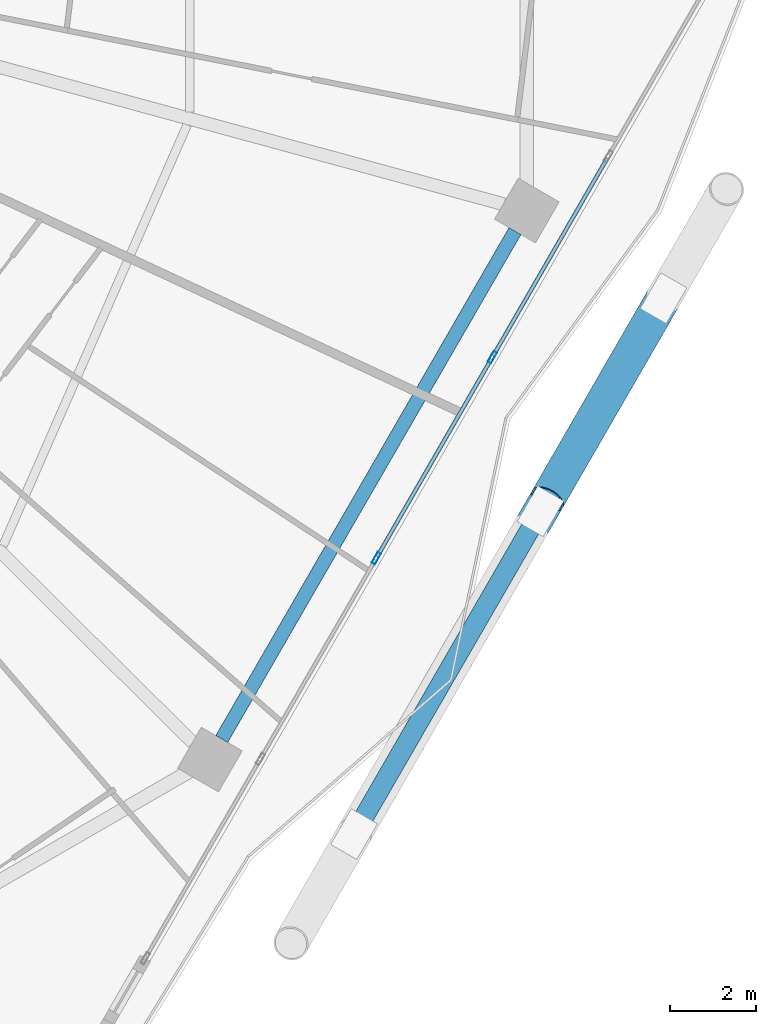
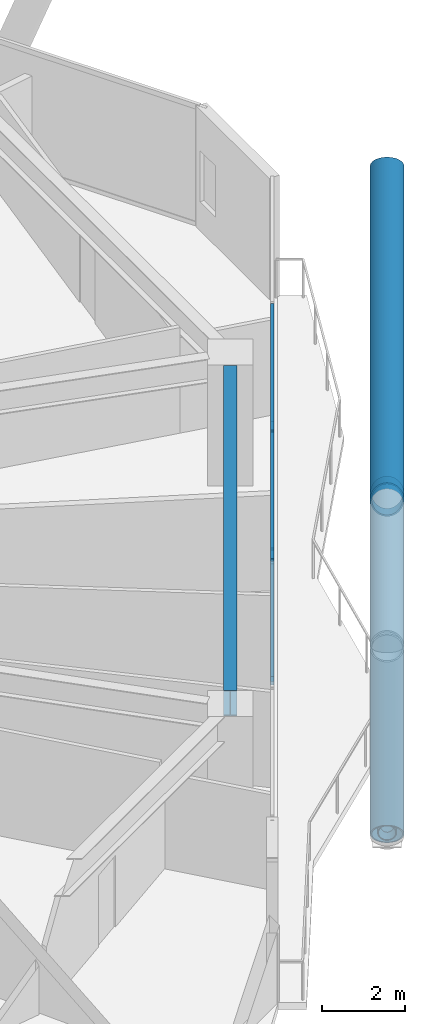
# One storey, part 11 of 34: 9 members, 1 beam, 1 element without a shape of its own.
"""IFC4 building model written with IfcOpenShell, lengths in metres."""

from ifc_helpers import new_model, si_unit, direction, frame, origin, origin_2d, place, context, subcontext, project, spatial, hollow_rectangle, hollow_circle, i_section, extrude, material, material_profile, profile_set, type_object, element, aggregate, save


model = new_model("IFC4")

# Units and contexts
model_context = context("Model", 3, precision=1e-05, world=origin(), true_north=direction((0.0, 1.0)))
body_context = subcontext(model_context, "Body", "Model", "MODEL_VIEW")
ifc_project = project(units=[si_unit("LENGTHUNIT", "METRE"), si_unit("AREAUNIT", "SQUARE_METRE"), si_unit("VOLUMEUNIT", "CUBIC_METRE"), si_unit("PLANEANGLEUNIT", "RADIAN"), si_unit("MASSUNIT", "GRAM", prefix="KILO")], contexts=[model_context])

# Site, building, storey
site_placement = place(None, origin())
site = spatial("IfcSite", under=ifc_project, at=site_placement, CompositionType="ELEMENT")
building_placement = place(site_placement, origin())
building = spatial("IfcBuilding", under=site, at=building_placement, Name="Zuhravey Tower", CompositionType="ELEMENT")
storey_placement = place(building_placement, frame((0.0, 0.0, 130.39990234375)))
storey = spatial("IfcBuildingStorey", under=building, at=storey_placement, Name="L32", CompositionType="ELEMENT", Elevation=130.39990234375)

# Curtain wall, members
ifc_material_1 = material(Name="Thermally broken anodised aluminium", Category="aluminium")
curtain_wall_type = type_object("IfcCurtainWallType", Name="Zone 1-2 Residential Curtain Wall CW3", PredefinedType="NOTDEFINED", material=ifc_material_1)
curtain_wall_placement = place(storey_placement, origin())
curtain_wall = element("IfcCurtainWall", 1, at=curtain_wall_placement, inside=storey, type_object=curtain_wall_type, Name="L32 CW3 CW-L32-F6-1", PredefinedType="NOTDEFINED")
ifc_material_2 = material(Name="Anodised aluminium", Category="aluminium")
ifc_material_profile_1 = material_profile(ifc_material_2, hollow_rectangle(XDim=0.090087890625, YDim=0.284912109375, WallThickness=0.0048828125, at=origin_2d()), Name="ALU-RHS-90x285x5")
ifc_profile_set_1 = profile_set([ifc_material_profile_1], Name="Anodised aluminium")
member_type_1 = type_object("IfcMemberType", Name="Curtain-Wall Mullion 90x180", PredefinedType="MULLION", material=ifc_profile_set_1)
member_1_placement = place(storey_placement, frame((63.0849609375, 20.99560546875, 0.0), z_axis=(0.0, 0.0, 1.0), x_axis=(0.866025653253, -0.499999567908, 0.0)))
member_1 = element("IfcMember", 2, at=member_1_placement, type_object=member_type_1, Name="CW3 mullion 3", PredefinedType="MULLION", context=body_context, shape_type="SweptSolid", body=[
    extrude(hollow_rectangle(XDim=0.090087890625, YDim=0.284912109375, WallThickness=0.0048828125, at=origin_2d()), origin(), (0.0, 0.0, 1.0), 3.550048828125),
])
member_2_placement = place(storey_placement, frame((60.38818359375, 16.324462890625, 0.0), z_axis=(0.0, 0.0, 1.0), x_axis=(0.866025653253, -0.499999567908, 0.0)))
member_2 = element("IfcMember", 3, at=member_2_placement, type_object=member_type_1, Name="CW3 mullion 4", PredefinedType="MULLION", context=body_context, shape_type="SweptSolid", body=[
    extrude(hollow_rectangle(XDim=0.090087890625, YDim=0.284912109375, WallThickness=0.0048828125, at=origin_2d()), origin(), (0.0, 0.0, 1.0), 3.550048828125),
])
ifc_material_profile_2 = material_profile(ifc_material_2, hollow_rectangle(XDim=0.090087890625, YDim=0.14990234375, WallThickness=0.0048828125, at=origin_2d()), Name="ALU-RHS-90x150x5")
ifc_profile_set_2 = profile_set([ifc_material_profile_2], Name="Anodised aluminium")
member_type_2 = type_object("IfcMemberType", Name="Curtain-Wall Transom 90x150", PredefinedType="USERDEFINED", material=ifc_profile_set_2)
member_3_placement = place(storey_placement, frame((65.75927734375, 25.62744140625, 0.045166015625), z_axis=(-0.500010681432, -0.866019236769, 0.0), x_axis=(0.866019236769, -0.500010681432, 0.0)))
member_3 = element("IfcMember", 4, at=member_3_placement, type_object=member_type_2, Name="CW3 transom 2.1", ObjectType="TRANSOM", PredefinedType="USERDEFINED", context=body_context, shape_type="SweptSolid", body=[
    extrude(hollow_rectangle(XDim=0.090087890625, YDim=0.14990234375, WallThickness=0.0048828125, at=origin_2d()), origin(), (0.0, 0.0, 1.0), 5.3037109375),
])
member_4_placement = place(storey_placement, frame((65.75927734375, 25.62744140625, 3.505126953125), z_axis=(-0.500010681432, -0.866019236769, 0.0), x_axis=(0.866019236769, -0.500010681432, 0.0)))
member_4 = element("IfcMember", 5, at=member_4_placement, type_object=member_type_2, Name="CW3 transom 2.2", ObjectType="TRANSOM", PredefinedType="USERDEFINED", context=body_context, shape_type="SweptSolid", body=[
    extrude(hollow_rectangle(XDim=0.090087890625, YDim=0.14990234375, WallThickness=0.0048828125, at=origin_2d()), origin(), (0.0, 0.0, 1.0), 5.3037109375),
])
member_5_placement = place(storey_placement, frame((63.0625, 20.95654296875, 0.045166015625), z_axis=(-0.500010681432, -0.866019236769, 0.0), x_axis=(0.866019236769, -0.500010681432, 0.0)))
member_5 = element("IfcMember", 6, at=member_5_placement, type_object=member_type_2, Name="CW3 transom 3.1", ObjectType="TRANSOM", PredefinedType="USERDEFINED", context=body_context, shape_type="SweptSolid", body=[
    extrude(hollow_rectangle(XDim=0.090087890625, YDim=0.14990234375, WallThickness=0.0048828125, at=origin_2d()), origin(), (0.0, 0.0, 1.0), 5.3037109375),
])
member_6_placement = place(storey_placement, frame((63.0625, 20.95654296875, 3.505126953125), z_axis=(-0.500010681432, -0.866019236769, 0.0), x_axis=(0.866019236769, -0.500010681432, 0.0)))
member_6 = element("IfcMember", 7, at=member_6_placement, type_object=member_type_2, Name="CW3 transom 3.2", ObjectType="TRANSOM", PredefinedType="USERDEFINED", context=body_context, shape_type="SweptSolid", body=[
    extrude(hollow_rectangle(XDim=0.090087890625, YDim=0.14990234375, WallThickness=0.0048828125, at=origin_2d()), origin(), (0.0, 0.0, 1.0), 5.3037109375),
])
aggregate(curtain_wall, [member_1, member_2, member_3, member_4, member_5, member_6])

# Members
ifc_material_3 = material(Name="Steel SM355", Category="steel")
ifc_material_profile_3 = material_profile(ifc_material_3, hollow_circle(Radius=0.228515625, WallThickness=0.02197265625, at=origin_2d()), Name="CHS-457.2x22")
ifc_profile_set_3 = profile_set([ifc_material_profile_3], Name="Steel SM355")
member_type_3 = type_object("IfcMemberType", Name="Exoskeleton Ring Tie CHS457x22", PredefinedType="CHORD", material=ifc_profile_set_3)
member_7_placement = place(storey_placement, frame((59.942138671875, 10.031982421875, -0.4638671875), z_axis=(0.499995593262, 0.866027948001, 0.0), x_axis=(-0.866027948001, 0.499995593262, 0.0)))
element("IfcMember", 8, at=member_7_placement, inside=storey, type_object=member_type_3, Name="L32 Exoskeleton Face 6 Tie EXR1", PredefinedType="CHORD", context=body_context, shape_type="SweptSolid", body=[
    extrude(hollow_circle(Radius=0.228515625, WallThickness=0.02197265625, at=origin_2d()), origin(), (0.0, 0.0, 1.0), 14.107666015625),
])
ifc_material_4 = material(Name="Steel SM460", Category="steel")
ifc_material_profile_4 = material_profile(ifc_material_4, hollow_circle(Radius=0.406494140625, WallThickness=0.035888671875, at=origin_2d()), Name="CHS-812.8x36")
ifc_profile_set_4 = profile_set([ifc_material_profile_4], Name="Steel SM460")
member_type_4 = type_object("IfcMemberType", Name="Exoskeleton Zone 1 Diagrid CHS813x36", PredefinedType="BRACE", material=ifc_profile_set_4)
member_8_placement = place(storey_placement, frame((59.897216796875, 9.9541015625, -0.44189453125), z_axis=(0.457899571463, 0.793119897067, 0.401607782957), x_axis=(-0.866029382339, 0.499993108878, 0.0)))
element("IfcMember", 9, at=member_8_placement, inside=storey, type_object=member_type_4, Name="L32 Face 6 Diagrid Brace 2", PredefinedType="BRACE", context=body_context, shape_type="SweptSolid", body=[
    extrude(hollow_circle(Radius=0.406494140625, WallThickness=0.035888671875, at=origin_2d()), origin(), (0.0, 0.0, 1.0), 18.814208984375),
])
member_9_placement = place(storey_placement, frame((67.04296875, 22.331298828125, -0.43359375), z_axis=(-0.416513083029, -0.721451330682, 0.553195109453), x_axis=(0.866034259299, -0.499984661485, 0.0)))
element("IfcMember", 10, at=member_9_placement, inside=storey, type_object=member_type_4, Name="L32 Face 6 Split Diagrid Brace 3A", PredefinedType="BRACE", context=body_context, shape_type="SweptSolid", body=[
    extrude(hollow_circle(Radius=0.406494140625, WallThickness=0.035888671875, at=origin_2d()), origin(), (0.0, 0.0, 1.0), 6.417724609375),
])

# Beam
ifc_material_profile_5 = material_profile(ifc_material_3, i_section(OverallWidth=0.320068359375, OverallDepth=0.75, WebThickness=0.013916015625, FlangeThickness=0.02490234375, at=origin_2d()), Name="H-750x320x14x25")
ifc_profile_set_5 = profile_set([ifc_material_profile_5], Name="Steel SM355")
beam_type = type_object("IfcBeamType", Name="Perimeter Ring Beam H750x320", PredefinedType="BEAM", material=ifc_profile_set_5)
beam_placement = place(storey_placement, frame((56.79541015625, 12.1220703125, 3.175048828125), z_axis=(0.500008177929, 0.866020682204, 0.0), x_axis=(-0.866020682204, 0.500008177929, 0.0)))
element("IfcBeam", 11, at=beam_placement, inside=storey, type_object=beam_type, Name="L32 PB1 BM-L32-PB-11", PredefinedType="BEAM", context=body_context, shape_type="SweptSolid", body=[
    extrude(i_section(OverallWidth=0.320068359375, OverallDepth=0.75, WebThickness=0.013916015625, FlangeThickness=0.02490234375, at=origin_2d()), origin(), (0.0, 0.0, 1.0), 13.634033203125),
])

save(model, "model.ifc")
